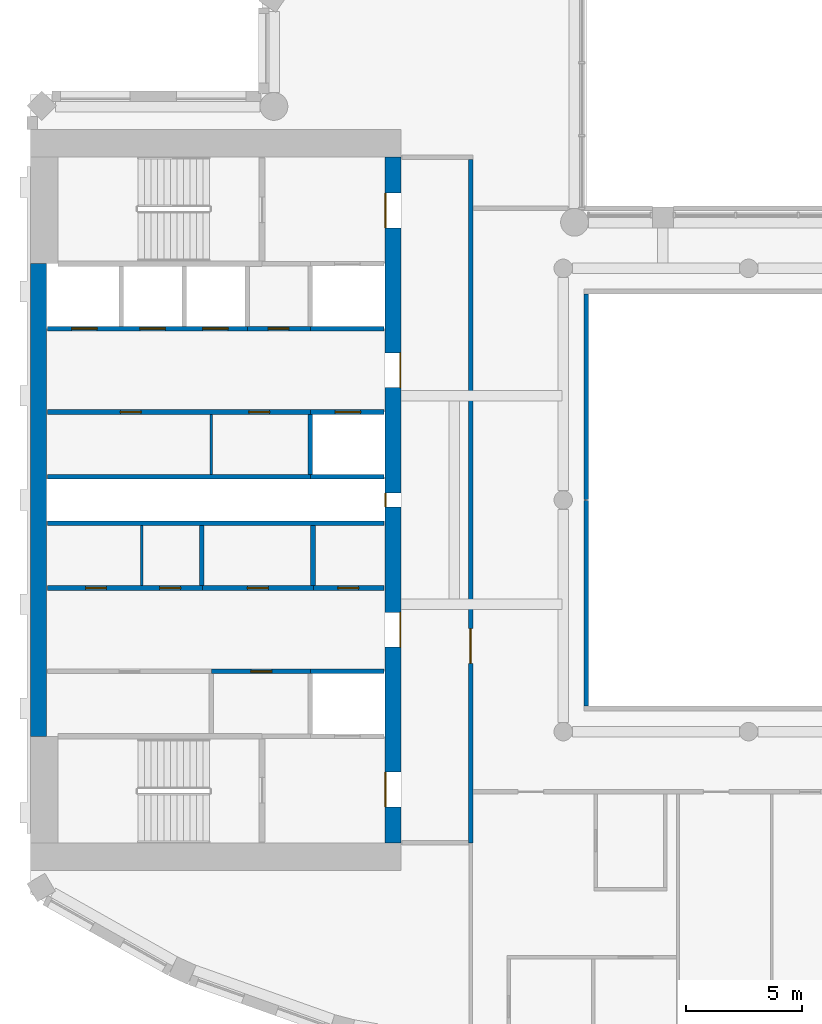
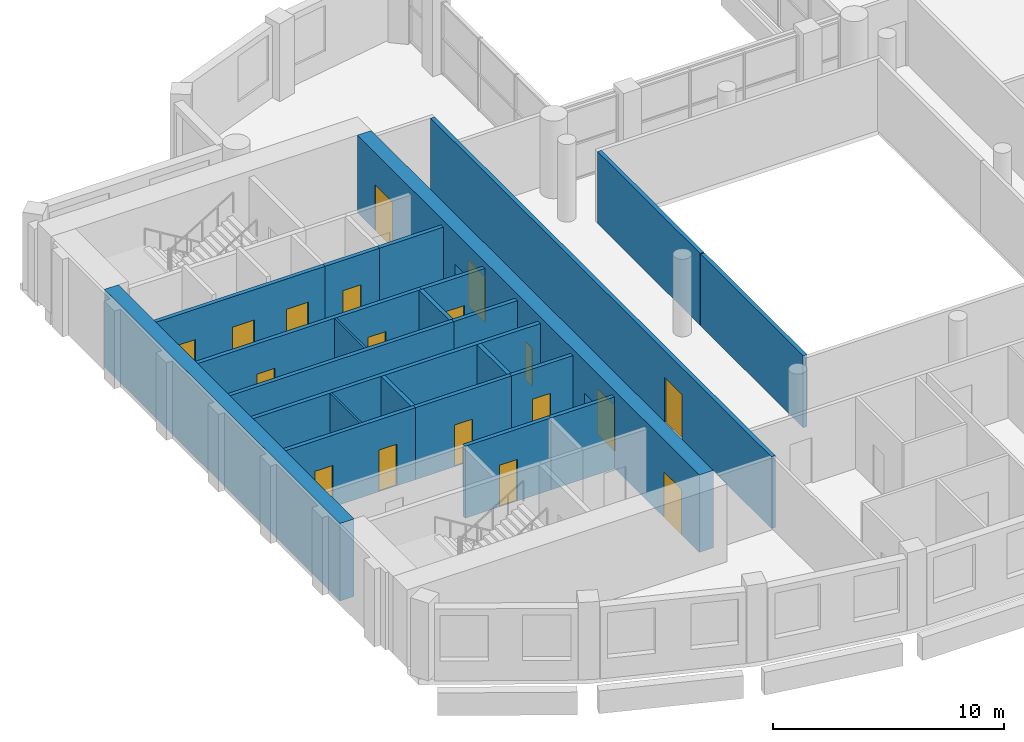
# One storey, part 5 of 14: 23 walls, 18 doors, 18 openings.
"""IFC4 building model written with IfcOpenShell, lengths in metres."""

from ifc_helpers import new_model, si_unit, direction, frame, frame_2d, origin, place, context, subcontext, project, spatial, rectangle, extrude, material, layer, layer_set, type_object, element, fill, save


model = new_model("IFC4")

# Units and contexts
model_context = context("Model", 3, precision=1e-05, world=origin(), true_north=direction((0.0, 1.0)))
body_context = subcontext(model_context, "Body", "Model", "MODEL_VIEW")
ifc_project = project(units=[si_unit("LENGTHUNIT", "METRE"), si_unit("AREAUNIT", "SQUARE_METRE"), si_unit("VOLUMEUNIT", "CUBIC_METRE"), si_unit("PLANEANGLEUNIT", "RADIAN"), si_unit("MASSUNIT", "GRAM", prefix="KILO")], contexts=[model_context])

# Site, building, storey
site_placement = place(None, origin())
site = spatial("IfcSite", under=ifc_project, at=site_placement, CompositionType="ELEMENT")
building_placement = place(site_placement, origin())
building = spatial("IfcBuilding", under=site, at=building_placement, Name="Cypress Arch Tower", CompositionType="ELEMENT")
storey_placement = place(building_placement, frame((0.0, 0.0, 325.39990234375)))
storey = spatial("IfcBuildingStorey", under=building, at=storey_placement, Name="L74", CompositionType="ELEMENT", Elevation=325.39990234375)

# Wall, openings, doors
ifc_material_1 = material(Name="Concrete C60/75", Category="concrete")
ifc_layer_1 = layer(ifc_material_1, 0.699951171875)
ifc_layer_set_1 = layer_set([ifc_layer_1], Name="Core wall CW700 C60/75")
wall_type_1 = type_object("IfcWallType", Name="Core wall CW700 C60/75", PredefinedType="SHEAR", material=ifc_layer_set_1)
wall_1_placement = place(storey_placement, frame((-14.35009765625, -14.800048828125, 0.0), z_axis=(0.0, 0.0, 1.0), x_axis=(0.0, 1.0, 0.0)))
wall_1 = element("IfcWall", 1, at=wall_1_placement, inside=storey, type_object=wall_type_1, Name="Core wall", PredefinedType="SHEAR", context=body_context, shape_type="SweptSolid", body=[
    extrude(rectangle(XDim=29.60009765625, YDim=0.699951171875, at=frame_2d((14.800048828125, 0.0))), origin(), (0.0, 0.0, 1.0), 4.10009765625),
])
opening_1_placement = place(wall_1_placement, frame((1.550048828125, 0.0, 0.0)))
opening_1 = element("IfcOpeningElement", 2, at=opening_1_placement, cuts=wall_1, Name="Opening D07", PredefinedType="OPENING", context=body_context, shape_type="SweptSolid", body=[
    extrude(rectangle(XDim=1.5, YDim=2.39990234375, at=frame_2d((0.75, 1.199951171875))), frame((0.0, 0.35986328125, 0.0), z_axis=(0.0, -1.0, 0.0), x_axis=(1.0, 0.0, 0.0)), (0.0, 0.0, 1.0), 0.719970703125),
])
opening_2_placement = place(wall_1_placement, frame((26.550048828125, 0.0, 0.0)))
opening_2 = element("IfcOpeningElement", 3, at=opening_2_placement, cuts=wall_1, Name="Opening D07", PredefinedType="OPENING", context=body_context, shape_type="SweptSolid", body=[
    extrude(rectangle(XDim=1.5, YDim=2.39990234375, at=frame_2d((0.75, 1.199951171875))), frame((0.0, 0.35986328125, 0.0), z_axis=(0.0, -1.0, 0.0), x_axis=(1.0, 0.0, 0.0)), (0.0, 0.0, 1.0), 0.719970703125),
])
opening_3_placement = place(wall_1_placement, frame((8.449951171875, 0.0, 0.0)))
opening_3 = element("IfcOpeningElement", 4, at=opening_3_placement, cuts=wall_1, Name="Opening D07", PredefinedType="OPENING", context=body_context, shape_type="SweptSolid", body=[
    extrude(rectangle(XDim=1.5, YDim=2.39990234375, at=frame_2d((0.75, 1.199951171875))), frame((0.0, 0.35986328125, 0.0), z_axis=(0.0, -1.0, 0.0), x_axis=(1.0, 0.0, 0.0)), (0.0, 0.0, 1.0), 0.719970703125),
])
opening_4_placement = place(wall_1_placement, frame((19.64990234375, 0.0, 0.0)))
opening_4 = element("IfcOpeningElement", 5, at=opening_4_placement, cuts=wall_1, Name="Opening D07", PredefinedType="OPENING", context=body_context, shape_type="SweptSolid", body=[
    extrude(rectangle(XDim=1.5, YDim=2.39990234375, at=frame_2d((0.75, 1.199951171875))), frame((0.0, 0.35986328125, 0.0), z_axis=(0.0, -1.0, 0.0), x_axis=(1.0, 0.0, 0.0)), (0.0, 0.0, 1.0), 0.719970703125),
])
opening_5_placement = place(wall_1_placement, frame((14.5, 0.0, 0.0)))
opening_5 = element("IfcOpeningElement", 6, at=opening_5_placement, cuts=wall_1, Name="Opening D08", PredefinedType="OPENING", context=body_context, shape_type="SweptSolid", body=[
    extrude(rectangle(XDim=0.60009765625, YDim=2.0, at=frame_2d((0.300048828125, 1.0))), frame((0.0, 0.35986328125, 0.0), z_axis=(0.0, -1.0, 0.0), x_axis=(1.0, 0.0, 0.0)), (0.0, 0.0, 1.0), 0.719970703125),
])
ifc_material_2 = material(Name="Steel framed glazed door, fire resisting", Category="steel")
door_type_1 = type_object("IfcDoorType", Name="Lobby door D07 1500x2400", OperationType="DOUBLE_DOOR_SINGLE_SWING", PredefinedType="DOOR", material=ifc_material_2)
door_1_placement = place(opening_1_placement, origin())
door_1 = element("IfcDoor", 7, at=door_1_placement, inside=storey, type_object=door_type_1, Name="Lobby door", OperationType="DOUBLE_DOOR_SINGLE_SWING", OverallHeight=2.39990234375, OverallWidth=1.5, PredefinedType="DOOR", context=body_context, shape_type="SweptSolid", body=[
    extrude(rectangle(XDim=1.5, YDim=2.39990234375, at=frame_2d((0.75, 1.199951171875))), frame((0.0, 0.34521484375, 0.0), z_axis=(0.0, -1.0, 0.0), x_axis=(1.0, 0.0, 0.0)), (0.0, 0.0, 1.0), 0.050048828125),
])
fill(opening_1, door_1)
door_2_placement = place(opening_2_placement, origin())
door_2 = element("IfcDoor", 8, at=door_2_placement, inside=storey, type_object=door_type_1, Name="Lobby door", OperationType="DOUBLE_DOOR_SINGLE_SWING", OverallHeight=2.39990234375, OverallWidth=1.5, PredefinedType="DOOR", context=body_context, shape_type="SweptSolid", body=[
    extrude(rectangle(XDim=1.5, YDim=2.39990234375, at=frame_2d((0.75, 1.199951171875))), frame((0.0, 0.34521484375, 0.0), z_axis=(0.0, -1.0, 0.0), x_axis=(1.0, 0.0, 0.0)), (0.0, 0.0, 1.0), 0.050048828125),
])
fill(opening_2, door_2)
door_3_placement = place(opening_3_placement, origin())
door_3 = element("IfcDoor", 9, at=door_3_placement, inside=storey, type_object=door_type_1, Name="Lobby door", OperationType="DOUBLE_DOOR_SINGLE_SWING", OverallHeight=2.39990234375, OverallWidth=1.5, PredefinedType="DOOR", context=body_context, shape_type="SweptSolid", body=[
    extrude(rectangle(XDim=1.5, YDim=2.39990234375, at=frame_2d((0.75, 1.199951171875))), frame((0.0, -0.294921875, 0.0), z_axis=(0.0, -1.0, 0.0), x_axis=(1.0, 0.0, 0.0)), (0.0, 0.0, 1.0), 0.050048828125),
])
fill(opening_3, door_3)
door_4_placement = place(opening_4_placement, origin())
door_4 = element("IfcDoor", 10, at=door_4_placement, inside=storey, type_object=door_type_1, Name="Lobby door", OperationType="DOUBLE_DOOR_SINGLE_SWING", OverallHeight=2.39990234375, OverallWidth=1.5, PredefinedType="DOOR", context=body_context, shape_type="SweptSolid", body=[
    extrude(rectangle(XDim=1.5, YDim=2.39990234375, at=frame_2d((0.75, 1.199951171875))), frame((0.0, -0.294921875, 0.0), z_axis=(0.0, -1.0, 0.0), x_axis=(1.0, 0.0, 0.0)), (0.0, 0.0, 1.0), 0.050048828125),
])
fill(opening_4, door_4)
ifc_material_3 = material(Name="Steel access door, fire resisting", Category="steel")
door_type_2 = type_object("IfcDoorType", Name="Riser access door D08 600x2000", OperationType="SINGLE_SWING_LEFT", PredefinedType="DOOR", material=ifc_material_3)
door_5_placement = place(opening_5_placement, origin())
door_5 = element("IfcDoor", 11, at=door_5_placement, inside=storey, type_object=door_type_2, Name="Riser access door", OperationType="SINGLE_SWING_RIGHT", OverallHeight=2.0, OverallWidth=0.60009765625, PredefinedType="DOOR", context=body_context, shape_type="SweptSolid", body=[
    extrude(rectangle(XDim=0.60009765625, YDim=2.0, at=frame_2d((0.300048828125, 1.0))), frame((0.0, 0.34521484375, 0.0), z_axis=(0.0, -1.0, 0.0), x_axis=(1.0, 0.0, 0.0)), (0.0, 0.0, 1.0), 0.050048828125),
])
fill(opening_5, door_5)

# Wall
wall_2_placement = place(storey_placement, frame((-29.64990234375, -10.199951171875, 0.0), z_axis=(0.0, 0.0, 1.0), x_axis=(0.0, 1.0, 0.0)))
element("IfcWall", 12, at=wall_2_placement, inside=storey, type_object=wall_type_1, Name="Core wall", PredefinedType="SHEAR", context=body_context, shape_type="SweptSolid", body=[
    extrude(rectangle(XDim=20.39990234375, YDim=0.699951171875, at=frame_2d((10.199951171875, 0.0))), origin(), (0.0, 0.0, 1.0), 4.10009765625),
])

# Wall, openings, doors
ifc_material_4 = material(Name="Concrete blockwork, plastered, rated", Category="masonry")
ifc_layer_2 = layer(ifc_material_4, 0.199951171875)
ifc_layer_set_2 = layer_set([ifc_layer_2], Name="Corridor wall FW200")
wall_type_2 = type_object("IfcWallType", Name="Corridor wall FW200", PredefinedType="PARTITIONING", material=ifc_layer_set_2)
wall_3_placement = place(storey_placement, frame((-29.27001953125, -3.800048828125, 0.0), z_axis=(0.0, 0.0, 1.0), x_axis=(1.0, 0.0, 0.0)))
wall_3 = element("IfcWall", 13, at=wall_3_placement, inside=storey, type_object=wall_type_2, Name="Corridor wall", PredefinedType="PARTITIONING", context=body_context, shape_type="SweptSolid", body=[
    extrude(rectangle(XDim=6.68994140625, YDim=0.199951171875, at=frame_2d((3.344970703125, 0.0))), origin(), (0.0, 0.0, 1.0), 3.800048828125),
])
opening_6_placement = place(wall_3_placement, frame((1.64990234375, 0.0, 0.0)))
opening_6 = element("IfcOpeningElement", 14, at=opening_6_placement, cuts=wall_3, Name="Opening D05", PredefinedType="OPENING", context=body_context, shape_type="SweptSolid", body=[
    extrude(rectangle(XDim=0.89990234375, YDim=2.199951171875, at=frame_2d((0.449951171875, 1.10009765625))), frame((0.0, 0.10986328125, 0.0), z_axis=(0.0, -1.0, 0.0), x_axis=(1.0, 0.0, 0.0)), (0.0, 0.0, 1.0), 0.219970703125),
])
opening_7_placement = place(wall_3_placement, frame((4.85009765625, 0.0, 0.0)))
opening_7 = element("IfcOpeningElement", 15, at=opening_7_placement, cuts=wall_3, Name="Opening D05", PredefinedType="OPENING", context=body_context, shape_type="SweptSolid", body=[
    extrude(rectangle(XDim=0.89990234375, YDim=2.199951171875, at=frame_2d((0.449951171875, 1.10009765625))), frame((0.0, 0.10986328125, 0.0), z_axis=(0.0, -1.0, 0.0), x_axis=(1.0, 0.0, 0.0)), (0.0, 0.0, 1.0), 0.219970703125),
])
ifc_material_5 = material(Name="Timber flush door", Category="wood")
door_type_3 = type_object("IfcDoorType", Name="Service door D05 900x2200", OperationType="SINGLE_SWING_LEFT", PredefinedType="DOOR", material=ifc_material_5)
door_6_placement = place(opening_6_placement, origin())
door_6 = element("IfcDoor", 16, at=door_6_placement, inside=storey, type_object=door_type_3, Name="Service door", OperationType="SINGLE_SWING_RIGHT", OverallHeight=2.199951171875, OverallWidth=0.89990234375, PredefinedType="DOOR", context=body_context, shape_type="SweptSolid", body=[
    extrude(rectangle(XDim=0.89990234375, YDim=2.199951171875, at=frame_2d((0.449951171875, 1.10009765625))), frame((0.0, 0.02490234375, 0.0), z_axis=(0.0, -1.0, 0.0), x_axis=(1.0, 0.0, 0.0)), (0.0, 0.0, 1.0), 0.050048828125),
])
fill(opening_6, door_6)
door_7_placement = place(opening_7_placement, origin())
door_7 = element("IfcDoor", 17, at=door_7_placement, inside=storey, type_object=door_type_3, Name="Service door", OperationType="SINGLE_SWING_LEFT", OverallHeight=2.199951171875, OverallWidth=0.89990234375, PredefinedType="DOOR", context=body_context, shape_type="SweptSolid", body=[
    extrude(rectangle(XDim=0.89990234375, YDim=2.199951171875, at=frame_2d((0.449951171875, 1.10009765625))), frame((0.0, 0.02490234375, 0.0), z_axis=(0.0, -1.0, 0.0), x_axis=(1.0, 0.0, 0.0)), (0.0, 0.0, 1.0), 0.050048828125),
])
fill(opening_7, door_7)

wall_4_placement = place(storey_placement, frame((-29.27001953125, 3.800048828125, 0.0), z_axis=(0.0, 0.0, 1.0), x_axis=(1.0, 0.0, 0.0)))
wall_4 = element("IfcWall", 18, at=wall_4_placement, inside=storey, type_object=wall_type_2, Name="Corridor wall", PredefinedType="PARTITIONING", context=body_context, shape_type="SweptSolid", body=[
    extrude(rectangle(XDim=11.3701171875, YDim=0.199951171875, at=frame_2d((5.68505859375, 0.0))), origin(), (0.0, 0.0, 1.0), 3.800048828125),
])
opening_8_placement = place(wall_4_placement, frame((3.14990234375, 0.0, 0.0)))
opening_8 = element("IfcOpeningElement", 19, at=opening_8_placement, cuts=wall_4, Name="Opening D05", PredefinedType="OPENING", context=body_context, shape_type="SweptSolid", body=[
    extrude(rectangle(XDim=0.89990234375, YDim=2.199951171875, at=frame_2d((0.449951171875, 1.10009765625))), frame((0.0, 0.10986328125, 0.0), z_axis=(0.0, -1.0, 0.0), x_axis=(1.0, 0.0, 0.0)), (0.0, 0.0, 1.0), 0.219970703125),
])
opening_9_placement = place(wall_4_placement, frame((8.699951171875, 0.0, 0.0)))
opening_9 = element("IfcOpeningElement", 20, at=opening_9_placement, cuts=wall_4, Name="Opening D05", PredefinedType="OPENING", context=body_context, shape_type="SweptSolid", body=[
    extrude(rectangle(XDim=0.89990234375, YDim=2.199951171875, at=frame_2d((0.449951171875, 1.10009765625))), frame((0.0, 0.10986328125, 0.0), z_axis=(0.0, -1.0, 0.0), x_axis=(1.0, 0.0, 0.0)), (0.0, 0.0, 1.0), 0.219970703125),
])
door_8_placement = place(opening_8_placement, origin())
door_8 = element("IfcDoor", 21, at=door_8_placement, inside=storey, type_object=door_type_3, Name="Service door", OperationType="SINGLE_SWING_LEFT", OverallHeight=2.199951171875, OverallWidth=0.89990234375, PredefinedType="DOOR", context=body_context, shape_type="SweptSolid", body=[
    extrude(rectangle(XDim=0.89990234375, YDim=2.199951171875, at=frame_2d((0.449951171875, 1.10009765625))), frame((0.0, 0.02490234375, 0.0), z_axis=(0.0, -1.0, 0.0), x_axis=(1.0, 0.0, 0.0)), (0.0, 0.0, 1.0), 0.050048828125),
])
fill(opening_8, door_8)
door_9_placement = place(opening_9_placement, origin())
door_9 = element("IfcDoor", 22, at=door_9_placement, inside=storey, type_object=door_type_3, Name="Service door", OperationType="SINGLE_SWING_RIGHT", OverallHeight=2.199951171875, OverallWidth=0.89990234375, PredefinedType="DOOR", context=body_context, shape_type="SweptSolid", body=[
    extrude(rectangle(XDim=0.89990234375, YDim=2.199951171875, at=frame_2d((0.449951171875, 1.10009765625))), frame((0.0, 0.02490234375, 0.0), z_axis=(0.0, -1.0, 0.0), x_axis=(1.0, 0.0, 0.0)), (0.0, 0.0, 1.0), 0.050048828125),
])
fill(opening_9, door_9)

# Wall, opening, door
wall_5_placement = place(storey_placement, frame((-20.639892578125, 7.39990234375, 0.0), z_axis=(0.0, 0.0, 1.0), x_axis=(1.0, 0.0, 0.0)))
wall_5 = element("IfcWall", 23, at=wall_5_placement, inside=storey, type_object=wall_type_2, Name="Corridor wall", PredefinedType="PARTITIONING", context=body_context, shape_type="SweptSolid", body=[
    extrude(rectangle(XDim=2.719970703125, YDim=0.199951171875, at=frame_2d((1.35986328125, 0.0))), origin(), (0.0, 0.0, 1.0), 3.800048828125),
])
opening_10_placement = place(wall_5_placement, frame((0.89990234375, 0.0, 0.0)))
opening_10 = element("IfcOpeningElement", 24, at=opening_10_placement, cuts=wall_5, Name="Opening D05", PredefinedType="OPENING", context=body_context, shape_type="SweptSolid", body=[
    extrude(rectangle(XDim=0.89990234375, YDim=2.199951171875, at=frame_2d((0.449951171875, 1.10009765625))), frame((0.0, 0.10986328125, 0.0), z_axis=(0.0, -1.0, 0.0), x_axis=(1.0, 0.0, 0.0)), (0.0, 0.0, 1.0), 0.219970703125),
])
door_10_placement = place(opening_10_placement, origin())
door_10 = element("IfcDoor", 25, at=door_10_placement, inside=storey, type_object=door_type_3, Name="Service door", OperationType="SINGLE_SWING_LEFT", OverallHeight=2.199951171875, OverallWidth=0.89990234375, PredefinedType="DOOR", context=body_context, shape_type="SweptSolid", body=[
    extrude(rectangle(XDim=0.89990234375, YDim=2.199951171875, at=frame_2d((0.449951171875, 1.10009765625))), frame((0.0, 0.02490234375, 0.0), z_axis=(0.0, -1.0, 0.0), x_axis=(1.0, 0.0, 0.0)), (0.0, 0.0, 1.0), 0.050048828125),
])
fill(opening_10, door_10)

wall_6_placement = place(storey_placement, frame((-17.780029296875, -3.800048828125, 0.0), z_axis=(0.0, 0.0, 1.0), x_axis=(1.0, 0.0, 0.0)))
wall_6 = element("IfcWall", 26, at=wall_6_placement, inside=storey, type_object=wall_type_2, Name="Corridor wall", PredefinedType="PARTITIONING", context=body_context, shape_type="SweptSolid", body=[
    extrude(rectangle(XDim=3.050048828125, YDim=0.199951171875, at=frame_2d((1.52490234375, 0.0))), origin(), (0.0, 0.0, 1.0), 3.800048828125),
])
opening_11_placement = place(wall_6_placement, frame((1.050048828125, 0.0, 0.0)))
opening_11 = element("IfcOpeningElement", 27, at=opening_11_placement, cuts=wall_6, Name="Opening D05", PredefinedType="OPENING", context=body_context, shape_type="SweptSolid", body=[
    extrude(rectangle(XDim=0.89990234375, YDim=2.199951171875, at=frame_2d((0.449951171875, 1.10009765625))), frame((0.0, 0.10986328125, 0.0), z_axis=(0.0, -1.0, 0.0), x_axis=(1.0, 0.0, 0.0)), (0.0, 0.0, 1.0), 0.219970703125),
])
door_11_placement = place(opening_11_placement, origin())
door_11 = element("IfcDoor", 28, at=door_11_placement, inside=storey, type_object=door_type_3, Name="Service door", OperationType="SINGLE_SWING_LEFT", OverallHeight=2.199951171875, OverallWidth=0.89990234375, PredefinedType="DOOR", context=body_context, shape_type="SweptSolid", body=[
    extrude(rectangle(XDim=0.89990234375, YDim=2.199951171875, at=frame_2d((0.449951171875, 1.10009765625))), frame((0.0, 0.02490234375, 0.0), z_axis=(0.0, -1.0, 0.0), x_axis=(1.0, 0.0, 0.0)), (0.0, 0.0, 1.0), 0.050048828125),
])
fill(opening_11, door_11)

wall_7_placement = place(storey_placement, frame((-11.0, -14.800048828125, 0.0), z_axis=(0.0, 0.0, 1.0), x_axis=(0.0, 1.0, 0.0)))
wall_7 = element("IfcWall", 29, at=wall_7_placement, inside=storey, type_object=wall_type_2, Name="Corridor wall", PredefinedType="PARTITIONING", context=body_context, shape_type="SweptSolid", body=[
    extrude(rectangle(XDim=29.5, YDim=0.199951171875, at=frame_2d((14.75, 0.0))), origin(), (0.0, 0.0, 1.0), 3.800048828125),
])
opening_12_placement = place(wall_7_placement, frame((7.75, 0.0, 0.0)))
opening_12 = element("IfcOpeningElement", 30, at=opening_12_placement, cuts=wall_7, Name="Opening D07", PredefinedType="OPENING", context=body_context, shape_type="SweptSolid", body=[
    extrude(rectangle(XDim=1.5, YDim=2.39990234375, at=frame_2d((0.75, 1.199951171875))), frame((0.0, 0.10986328125, 0.0), z_axis=(0.0, -1.0, 0.0), x_axis=(1.0, 0.0, 0.0)), (0.0, 0.0, 1.0), 0.219970703125),
])
door_12_placement = place(opening_12_placement, origin())
door_12 = element("IfcDoor", 31, at=door_12_placement, inside=storey, type_object=door_type_1, Name="Lobby door", OperationType="DOUBLE_DOOR_SINGLE_SWING", OverallHeight=2.39990234375, OverallWidth=1.5, PredefinedType="DOOR", context=body_context, shape_type="SweptSolid", body=[
    extrude(rectangle(XDim=1.5, YDim=2.39990234375, at=frame_2d((0.75, 1.199951171875))), frame((0.0, 0.02490234375, 0.0), z_axis=(0.0, -1.0, 0.0), x_axis=(1.0, 0.0, 0.0)), (0.0, 0.0, 1.0), 0.050048828125),
])
fill(opening_12, door_12)

# Walls
for number, where, z_axis, x_axis, name in (
    (32, (-6.0, -8.89990234375, 0.0), (0.0, 0.0, 1.0), (0.0, 1.0, 0.0), "Corridor wall"),
    (33, (-6.0, 0.02001953125, 0.0), (0.0, 0.0, 1.0), (0.0, 1.0, 0.0), "Corridor wall"),
):
    element("IfcWall", number, at=place(storey_placement, frame(where, z_axis=z_axis, x_axis=x_axis)), inside=storey, type_object=wall_type_2, Name=name, PredefinedType="PARTITIONING", context=body_context, shape_type="SweptSolid", body=[
        extrude(rectangle(XDim=8.8798828125, YDim=0.199951171875, at=frame_2d((4.43994140625, 0.0))), origin(), (0.0, 0.0, 1.0), 3.800048828125),
    ])
ifc_material_6 = material(Name="Reinforced blockwork, plastered, rated", Category="masonry")
ifc_layer_3 = layer(ifc_material_6, 0.199951171875)
ifc_layer_set_3 = layer_set([ifc_layer_3], Name="Plant and riser wall PL200")
wall_type_3 = type_object("IfcWallType", Name="Plant and riser wall PL200", PredefinedType="PARTITIONING", material=ifc_layer_set_3)
wall_8_placement = place(storey_placement, frame((-29.27001953125, -1.0, 0.0), z_axis=(0.0, 0.0, 1.0), x_axis=(1.0, 0.0, 0.0)))
element("IfcWall", 34, at=wall_8_placement, inside=storey, type_object=wall_type_3, Name="Plant and riser wall", PredefinedType="PARTITIONING", context=body_context, shape_type="SweptSolid", body=[
    extrude(rectangle(XDim=14.5400390625, YDim=0.199951171875, at=frame_2d((7.27001953125, 0.0))), origin(), (0.0, 0.0, 1.0), 3.800048828125),
])
wall_9_placement = place(storey_placement, frame((-29.27001953125, 1.0, 0.0), z_axis=(0.0, 0.0, 1.0), x_axis=(1.0, 0.0, 0.0)))
element("IfcWall", 35, at=wall_9_placement, inside=storey, type_object=wall_type_3, Name="Plant and riser wall", PredefinedType="PARTITIONING", context=body_context, shape_type="SweptSolid", body=[
    extrude(rectangle(XDim=11.3701171875, YDim=0.199951171875, at=frame_2d((5.68505859375, 0.0))), origin(), (0.0, 0.0, 1.0), 3.800048828125),
])

# Wall, opening, door
wall_10_placement = place(storey_placement, frame((-22.580078125, -3.800048828125, 0.0), z_axis=(0.0, 0.0, 1.0), x_axis=(1.0, 0.0, 0.0)))
wall_10 = element("IfcWall", 36, at=wall_10_placement, inside=storey, type_object=wall_type_3, Name="Plant and riser wall", PredefinedType="PARTITIONING", context=body_context, shape_type="SweptSolid", body=[
    extrude(rectangle(XDim=4.800048828125, YDim=0.199951171875, at=frame_2d((2.39990234375, 0.0))), origin(), (0.0, 0.0, 1.0), 3.800048828125),
])
opening_13_placement = place(wall_10_placement, frame((1.949951171875, 0.0, 0.0)))
opening_13 = element("IfcOpeningElement", 37, at=opening_13_placement, cuts=wall_10, Name="Opening D05", PredefinedType="OPENING", context=body_context, shape_type="SweptSolid", body=[
    extrude(rectangle(XDim=0.89990234375, YDim=2.199951171875, at=frame_2d((0.449951171875, 1.10009765625))), frame((0.0, 0.10986328125, 0.0), z_axis=(0.0, -1.0, 0.0), x_axis=(1.0, 0.0, 0.0)), (0.0, 0.0, 1.0), 0.219970703125),
])
door_13_placement = place(opening_13_placement, origin())
door_13 = element("IfcDoor", 38, at=door_13_placement, inside=storey, type_object=door_type_3, Name="Service door", OperationType="SINGLE_SWING_RIGHT", OverallHeight=2.199951171875, OverallWidth=0.89990234375, PredefinedType="DOOR", context=body_context, shape_type="SweptSolid", body=[
    extrude(rectangle(XDim=0.89990234375, YDim=2.199951171875, at=frame_2d((0.449951171875, 1.10009765625))), frame((0.0, 0.02490234375, 0.0), z_axis=(0.0, -1.0, 0.0), x_axis=(1.0, 0.0, 0.0)), (0.0, 0.0, 1.0), 0.050048828125),
])
fill(opening_13, door_13)

# Wall
wall_11_placement = place(storey_placement, frame((-22.60009765625, -3.699951171875, 0.0), z_axis=(0.0, 0.0, 1.0), x_axis=(0.0, 1.0, 0.0)))
element("IfcWall", 39, at=wall_11_placement, inside=storey, type_object=wall_type_3, Name="Plant and riser wall", PredefinedType="PARTITIONING", context=body_context, shape_type="SweptSolid", body=[
    extrude(rectangle(XDim=2.599853515625, YDim=0.199951171875, at=frame_2d((1.2998046875, 0.0))), origin(), (0.0, 0.0, 1.0), 3.800048828125),
])

# Wall, opening, door
wall_12_placement = place(storey_placement, frame((-22.179931640625, -7.39990234375, 0.0), z_axis=(0.0, 0.0, 1.0), x_axis=(1.0, 0.0, 0.0)))
wall_12 = element("IfcWall", 40, at=wall_12_placement, inside=storey, type_object=wall_type_3, Name="Plant and riser wall", PredefinedType="PARTITIONING", context=body_context, shape_type="SweptSolid", body=[
    extrude(rectangle(XDim=4.280029296875, YDim=0.199951171875, at=frame_2d((2.14013671875, 0.0))), origin(), (0.0, 0.0, 1.0), 3.800048828125),
])
opening_14_placement = place(wall_12_placement, frame((1.699951171875, 0.0, 0.0)))
opening_14 = element("IfcOpeningElement", 41, at=opening_14_placement, cuts=wall_12, Name="Opening D05", PredefinedType="OPENING", context=body_context, shape_type="SweptSolid", body=[
    extrude(rectangle(XDim=0.89990234375, YDim=2.199951171875, at=frame_2d((0.449951171875, 1.10009765625))), frame((0.0, 0.10986328125, 0.0), z_axis=(0.0, -1.0, 0.0), x_axis=(1.0, 0.0, 0.0)), (0.0, 0.0, 1.0), 0.219970703125),
])
door_14_placement = place(opening_14_placement, origin())
door_14 = element("IfcDoor", 42, at=door_14_placement, inside=storey, type_object=door_type_3, Name="Service door", OperationType="SINGLE_SWING_LEFT", OverallHeight=2.199951171875, OverallWidth=0.89990234375, PredefinedType="DOOR", context=body_context, shape_type="SweptSolid", body=[
    extrude(rectangle(XDim=0.89990234375, YDim=2.199951171875, at=frame_2d((0.449951171875, 1.10009765625))), frame((0.0, 0.02490234375, 0.0), z_axis=(0.0, -1.0, 0.0), x_axis=(1.0, 0.0, 0.0)), (0.0, 0.0, 1.0), 0.050048828125),
])
fill(opening_14, door_14)

# Wall
wall_13_placement = place(storey_placement, frame((-17.800048828125, -3.699951171875, 0.0), z_axis=(0.0, 0.0, 1.0), x_axis=(0.0, 1.0, 0.0)))
element("IfcWall", 43, at=wall_13_placement, inside=storey, type_object=wall_type_3, Name="Plant and riser wall", PredefinedType="PARTITIONING", context=body_context, shape_type="SweptSolid", body=[
    extrude(rectangle(XDim=2.599853515625, YDim=0.199951171875, at=frame_2d((1.2998046875, 0.0))), origin(), (0.0, 0.0, 1.0), 3.800048828125),
])

# Wall, openings, doors
ifc_material_7 = material(Name="Concrete C50/60", Category="concrete")
ifc_layer_4 = layer(ifc_material_7, 0.199951171875)
ifc_layer_set_4 = layer_set([ifc_layer_4], Name="Shaft wall SH200")
wall_type_4 = type_object("IfcWallType", Name="Shaft wall SH200", PredefinedType="SHEAR", material=ifc_layer_set_4)
wall_14_placement = place(storey_placement, frame((-29.27001953125, 7.39990234375, 0.0), z_axis=(0.0, 0.0, 1.0), x_axis=(1.0, 0.0, 0.0)))
wall_14 = element("IfcWall", 44, at=wall_14_placement, inside=storey, type_object=wall_type_4, Name="Shaft wall", PredefinedType="SHEAR", context=body_context, shape_type="SweptSolid", body=[
    extrude(rectangle(XDim=8.630126953125, YDim=0.199951171875, at=frame_2d((4.31494140625, 0.0))), origin(), (0.0, 0.0, 1.0), 3.800048828125),
])
opening_15_placement = place(wall_14_placement, frame((1.050048828125, 0.0, 0.0)))
opening_15 = element("IfcOpeningElement", 45, at=opening_15_placement, cuts=wall_14, Name="Opening LD-HR5", PredefinedType="OPENING", context=body_context, shape_type="SweptSolid", body=[
    extrude(rectangle(XDim=1.10009765625, YDim=2.199951171875, at=frame_2d((0.550048828125, 1.10009765625))), frame((0.0, 0.10986328125, 0.0), z_axis=(0.0, -1.0, 0.0), x_axis=(1.0, 0.0, 0.0)), (0.0, 0.0, 1.0), 0.219970703125),
])
opening_16_placement = place(wall_14_placement, frame((4.0, 0.0, 0.0)))
opening_16 = element("IfcOpeningElement", 46, at=opening_16_placement, cuts=wall_14, Name="Opening LD-HR6", PredefinedType="OPENING", context=body_context, shape_type="SweptSolid", body=[
    extrude(rectangle(XDim=1.10009765625, YDim=2.199951171875, at=frame_2d((0.550048828125, 1.10009765625))), frame((0.0, 0.10986328125, 0.0), z_axis=(0.0, -1.0, 0.0), x_axis=(1.0, 0.0, 0.0)), (0.0, 0.0, 1.0), 0.219970703125),
])
opening_17_placement = place(wall_14_placement, frame((6.699951171875, 0.0, 0.0)))
opening_17 = element("IfcOpeningElement", 47, at=opening_17_placement, cuts=wall_14, Name="Opening LD-HR7", PredefinedType="OPENING", context=body_context, shape_type="SweptSolid", body=[
    extrude(rectangle(XDim=1.10009765625, YDim=2.199951171875, at=frame_2d((0.550048828125, 1.10009765625))), frame((0.0, 0.10986328125, 0.0), z_axis=(0.0, -1.0, 0.0), x_axis=(1.0, 0.0, 0.0)), (0.0, 0.0, 1.0), 0.219970703125),
])
ifc_material_8 = material(Name="Stainless steel centre-opening landing door, rated", Category="steel")
door_type_4 = type_object("IfcDoorType", Name="Lift landing door LD 1100x2200", OperationType="DOUBLE_DOOR_SLIDING", PredefinedType="DOOR", material=ifc_material_8)
door_15_placement = place(opening_15_placement, origin())
door_15 = element("IfcDoor", 48, at=door_15_placement, inside=storey, type_object=door_type_4, Name="Lift landing doors HR5", OperationType="DOUBLE_DOOR_SLIDING", OverallHeight=2.199951171875, OverallWidth=1.10009765625, PredefinedType="DOOR", context=body_context, shape_type="SweptSolid", body=[
    extrude(rectangle(XDim=1.10009765625, YDim=2.199951171875, at=frame_2d((0.550048828125, 1.10009765625))), frame((0.0, 0.02490234375, 0.0), z_axis=(0.0, -1.0, 0.0), x_axis=(1.0, 0.0, 0.0)), (0.0, 0.0, 1.0), 0.050048828125),
])
fill(opening_15, door_15)
door_16_placement = place(opening_16_placement, origin())
door_16 = element("IfcDoor", 49, at=door_16_placement, inside=storey, type_object=door_type_4, Name="Lift landing doors HR6", OperationType="DOUBLE_DOOR_SLIDING", OverallHeight=2.199951171875, OverallWidth=1.10009765625, PredefinedType="DOOR", context=body_context, shape_type="SweptSolid", body=[
    extrude(rectangle(XDim=1.10009765625, YDim=2.199951171875, at=frame_2d((0.550048828125, 1.10009765625))), frame((0.0, 0.02490234375, 0.0), z_axis=(0.0, -1.0, 0.0), x_axis=(1.0, 0.0, 0.0)), (0.0, 0.0, 1.0), 0.050048828125),
])
fill(opening_16, door_16)
door_17_placement = place(opening_17_placement, origin())
door_17 = element("IfcDoor", 50, at=door_17_placement, inside=storey, type_object=door_type_4, Name="Lift landing doors HR7", OperationType="DOUBLE_DOOR_SLIDING", OverallHeight=2.199951171875, OverallWidth=1.10009765625, PredefinedType="DOOR", context=body_context, shape_type="SweptSolid", body=[
    extrude(rectangle(XDim=1.10009765625, YDim=2.199951171875, at=frame_2d((0.550048828125, 1.10009765625))), frame((0.0, 0.02490234375, 0.0), z_axis=(0.0, -1.0, 0.0), x_axis=(1.0, 0.0, 0.0)), (0.0, 0.0, 1.0), 0.050048828125),
])
fill(opening_17, door_17)

# Walls
wall_15_placement = place(storey_placement, frame((-17.89990234375, -7.39990234375, 0.0), z_axis=(0.0, 0.0, 1.0), x_axis=(1.0, 0.0, 0.0)))
element("IfcWall", 51, at=wall_15_placement, inside=storey, type_object=wall_type_4, Name="Shaft wall", PredefinedType="SHEAR", context=body_context, shape_type="SweptSolid", body=[
    extrude(rectangle(XDim=3.169921875, YDim=0.199951171875, at=frame_2d((1.5849609375, 0.0))), origin(), (0.0, 0.0, 1.0), 3.800048828125),
])
wall_16_placement = place(storey_placement, frame((-17.919921875, 1.10009765625, 0.0), z_axis=(0.0, 0.0, 1.0), x_axis=(0.0, 1.0, 0.0)))
element("IfcWall", 52, at=wall_16_placement, inside=storey, type_object=wall_type_4, Name="Shaft wall", PredefinedType="SHEAR", context=body_context, shape_type="SweptSolid", body=[
    extrude(rectangle(XDim=2.599853515625, YDim=0.199951171875, at=frame_2d((1.2998046875, 0.0))), origin(), (0.0, 0.0, 1.0), 3.800048828125),
])
wall_17_placement = place(storey_placement, frame((-17.89990234375, 1.0, 0.0), z_axis=(0.0, 0.0, 1.0), x_axis=(1.0, 0.0, 0.0)))
element("IfcWall", 53, at=wall_17_placement, inside=storey, type_object=wall_type_4, Name="Shaft wall", PredefinedType="SHEAR", context=body_context, shape_type="SweptSolid", body=[
    extrude(rectangle(XDim=3.169921875, YDim=0.199951171875, at=frame_2d((1.5849609375, 0.0))), origin(), (0.0, 0.0, 1.0), 3.800048828125),
])

# Wall, opening, door
wall_18_placement = place(storey_placement, frame((-17.89990234375, 3.800048828125, 0.0), z_axis=(0.0, 0.0, 1.0), x_axis=(1.0, 0.0, 0.0)))
wall_18 = element("IfcWall", 54, at=wall_18_placement, inside=storey, type_object=wall_type_4, Name="Shaft wall", PredefinedType="SHEAR", context=body_context, shape_type="SweptSolid", body=[
    extrude(rectangle(XDim=3.169921875, YDim=0.199951171875, at=frame_2d((1.5849609375, 0.0))), origin(), (0.0, 0.0, 1.0), 3.800048828125),
])
opening_18_placement = place(wall_18_placement, frame((1.050048828125, 0.0, 0.0)))
opening_18 = element("IfcOpeningElement", 55, at=opening_18_placement, cuts=wall_18, Name="Opening LD-HR4", PredefinedType="OPENING", context=body_context, shape_type="SweptSolid", body=[
    extrude(rectangle(XDim=1.10009765625, YDim=2.199951171875, at=frame_2d((0.550048828125, 1.10009765625))), frame((0.0, 0.10986328125, 0.0), z_axis=(0.0, -1.0, 0.0), x_axis=(1.0, 0.0, 0.0)), (0.0, 0.0, 1.0), 0.219970703125),
])
door_18_placement = place(opening_18_placement, origin())
door_18 = element("IfcDoor", 56, at=door_18_placement, inside=storey, type_object=door_type_4, Name="Lift landing doors HR4", OperationType="DOUBLE_DOOR_SLIDING", OverallHeight=2.199951171875, OverallWidth=1.10009765625, PredefinedType="DOOR", context=body_context, shape_type="SweptSolid", body=[
    extrude(rectangle(XDim=1.10009765625, YDim=2.199951171875, at=frame_2d((0.550048828125, 1.10009765625))), frame((0.0, 0.02490234375, 0.0), z_axis=(0.0, -1.0, 0.0), x_axis=(1.0, 0.0, 0.0)), (0.0, 0.0, 1.0), 0.050048828125),
])
fill(opening_18, door_18)

# Walls
wall_19_placement = place(storey_placement, frame((-17.919921875, 7.39990234375, 0.0), z_axis=(0.0, 0.0, 1.0), x_axis=(1.0, 0.0, 0.0)))
element("IfcWall", 57, at=wall_19_placement, inside=storey, type_object=wall_type_4, Name="Shaft wall", PredefinedType="SHEAR", context=body_context, shape_type="SweptSolid", body=[
    extrude(rectangle(XDim=3.18994140625, YDim=0.199951171875, at=frame_2d((1.594970703125, 0.0))), origin(), (0.0, 0.0, 1.0), 3.800048828125),
])
ifc_material_9 = material(Name="Moisture resistant board on steel studs, tiled", Category="steel")
ifc_layer_5 = layer(ifc_material_9, 0.10009765625)
ifc_layer_set_5 = layer_set([ifc_layer_5], Name="Wet wall PW100")
wall_type_5 = type_object("IfcWallType", Name="Wet wall PW100", PredefinedType="PARTITIONING", material=ifc_layer_set_5)
for number, where, z_axis, x_axis, name in (
    (58, (-25.199951171875, -3.699951171875, 0.0), (0.0, 0.0, 1.0), (0.0, 1.0, 0.0), "Wet wall"),
    (59, (-22.199951171875, 1.10009765625, 0.0), (0.0, 0.0, 1.0), (0.0, 1.0, 0.0), "Wet wall"),
):
    element("IfcWall", number, at=place(storey_placement, frame(where, z_axis=z_axis, x_axis=x_axis)), inside=storey, type_object=wall_type_5, Name=name, PredefinedType="PARTITIONING", context=body_context, shape_type="SweptSolid", body=[
        extrude(rectangle(XDim=2.599853515625, YDim=0.10009765625, at=frame_2d((1.2998046875, 0.0))), origin(), (0.0, 0.0, 1.0), 3.800048828125),
    ])

save(model, "model.ifc")
